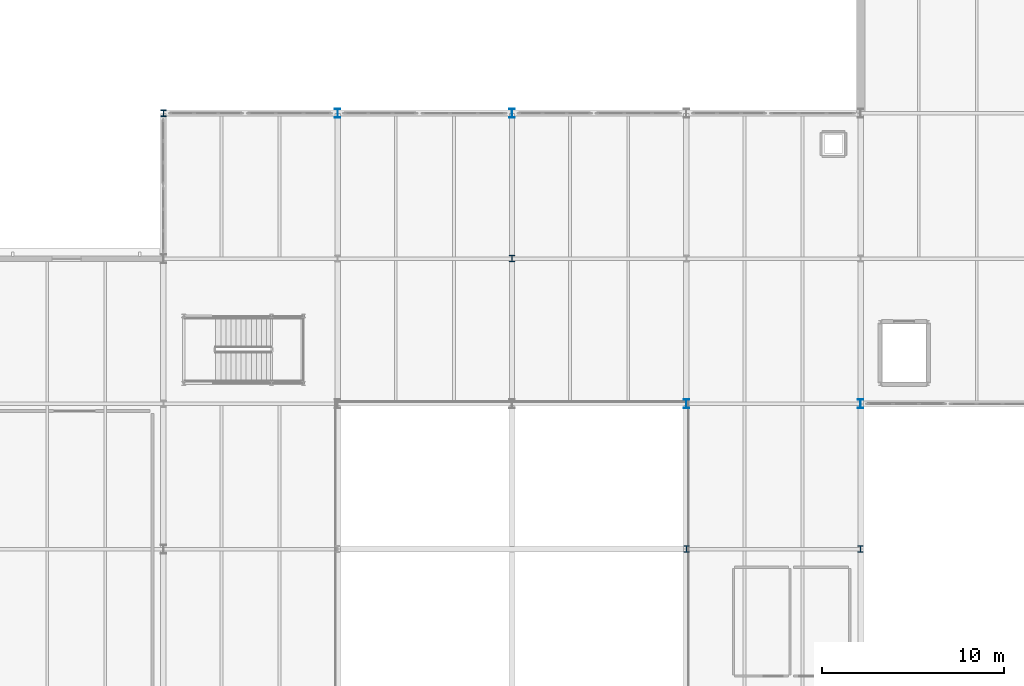
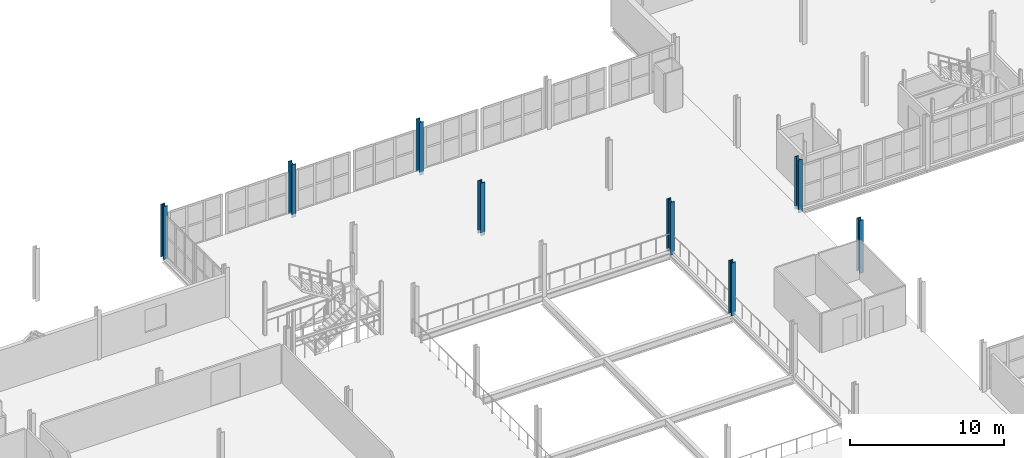
# One storey, part 20 of 78: 8 columns.
"""IFC4 building model written with IfcOpenShell, lengths in metres."""

from ifc_helpers import new_model, si_unit, direction, frame, origin, origin_2d, place, context, subcontext, project, spatial, i_section, extrude, material, material_profile, profile_set, type_object, element, save


model = new_model("IFC4")

# Units and contexts
model_context = context("Model", 3, precision=1e-05, world=origin(), true_north=direction((0.0, 1.0)))
body_context = subcontext(model_context, "Body", "Model", "MODEL_VIEW")
ifc_project = project(units=[si_unit("LENGTHUNIT", "METRE"), si_unit("AREAUNIT", "SQUARE_METRE"), si_unit("VOLUMEUNIT", "CUBIC_METRE"), si_unit("PLANEANGLEUNIT", "RADIAN"), si_unit("MASSUNIT", "GRAM", prefix="KILO")], contexts=[model_context])

# Site, building, storey
site_placement = place(None, origin())
site = spatial("IfcSite", under=ifc_project, at=site_placement, CompositionType="ELEMENT")
building_placement = place(site_placement, origin())
building = spatial("IfcBuilding", under=site, at=building_placement, Name="Alderhovde Museum", CompositionType="ELEMENT")
storey_placement = place(building_placement, frame((0.0, 0.0, 4.5)))
storey = spatial("IfcBuildingStorey", under=building, at=storey_placement, Name="L01", CompositionType="ELEMENT", Elevation=4.5)

# Columns
ifc_material_1 = material(Name="Steel S355J2", Category="steel")
ifc_material_profile_1 = material_profile(ifc_material_1, i_section(OverallWidth=0.300048828125, OverallDepth=0.5, WebThickness=0.014404296875, FlangeThickness=0.028076171875, FilletRadius=0.027099609375, at=origin_2d()), Name="HEB 500")
ifc_profile_set_1 = profile_set([ifc_material_profile_1], Name="Steel S355J2")
column_type_1 = type_object("IfcColumnType", Name="COL-HEB500", PredefinedType="COLUMN", material=ifc_profile_set_1)
for number, where, z_axis, x_axis, name in (
    (1, (86.39990234375, 88.0, -0.260009765625), (0.0, 0.0, 1.0), (1.0, 0.0, 0.0), "L01 Column (86.4, 88.0)"),
    (2, (96.0, 88.0, -0.260009765625), (0.0, 0.0, 1.0), (1.0, 0.0, 0.0), "L01 Column (96.0, 88.0)"),
    (3, (105.60009765625, 72.0, -0.260009765625), (0.0, 0.0, 1.0), (1.0, 0.0, 0.0), "L01 Column (105.6, 72.0)"),
    (4, (115.199951171875, 72.0, -0.260009765625), (0.0, 0.0, 1.0), (1.0, 0.0, 0.0), "L01 Column (115.2, 72.0)"),
):
    element("IfcColumn", number, at=place(storey_placement, frame(where, z_axis=z_axis, x_axis=x_axis)), inside=storey, type_object=column_type_1, Name=name, PredefinedType="COLUMN", context=body_context, shape_type="SweptSolid", body=[
        extrude(i_section(OverallWidth=0.300048828125, OverallDepth=0.5, WebThickness=0.014404296875, FlangeThickness=0.028076171875, FilletRadius=0.027099609375, at=origin_2d()), origin(), (0.0, 0.0, 1.0), 4.199951171875),
    ])
ifc_material_2 = material(Name="Steel S355J2", Category="steel")
ifc_material_profile_2 = material_profile(ifc_material_2, i_section(OverallWidth=0.30908203125, OverallDepth=0.376953125, WebThickness=0.02099609375, FlangeThickness=0.0400390625, FilletRadius=0.027099609375, at=origin_2d()), Name="HEM 340")
ifc_profile_set_2 = profile_set([ifc_material_profile_2], Name="Steel S355J2")
column_type_2 = type_object("IfcColumnType", Name="COL-HEM340", PredefinedType="COLUMN", material=ifc_profile_set_2)
for number, where, z_axis, x_axis, name in (
    (5, (76.800048828125, 88.0, -0.260009765625), (0.0, 0.0, 1.0), (1.0, 0.0, 0.0), "L01 Column (76.8, 88.0)"),
    (6, (96.0, 80.0, -0.260009765625), (0.0, 0.0, 1.0), (1.0, 0.0, 0.0), "L01 Column (96.0, 80.0)"),
    (7, (105.60009765625, 64.0, -0.260009765625), (0.0, 0.0, 1.0), (1.0, 0.0, 0.0), "L01 Column (105.6, 64.0)"),
    (8, (115.199951171875, 64.0, -0.260009765625), (0.0, 0.0, 1.0), (1.0, 0.0, 0.0), "L01 Column (115.2, 64.0)"),
):
    element("IfcColumn", number, at=place(storey_placement, frame(where, z_axis=z_axis, x_axis=x_axis)), inside=storey, type_object=column_type_2, Name=name, PredefinedType="COLUMN", context=body_context, shape_type="SweptSolid", body=[
        extrude(i_section(OverallWidth=0.30908203125, OverallDepth=0.376953125, WebThickness=0.02099609375, FlangeThickness=0.0400390625, FilletRadius=0.027099609375, at=origin_2d()), origin(), (0.0, 0.0, 1.0), 4.199951171875),
    ])

save(model, "model.ifc")
